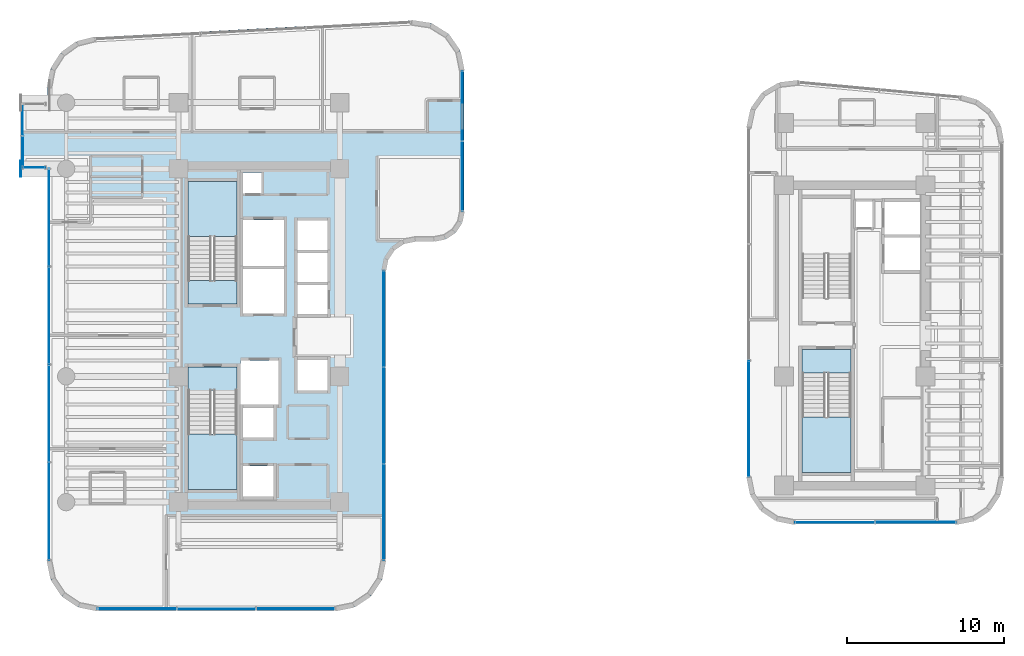
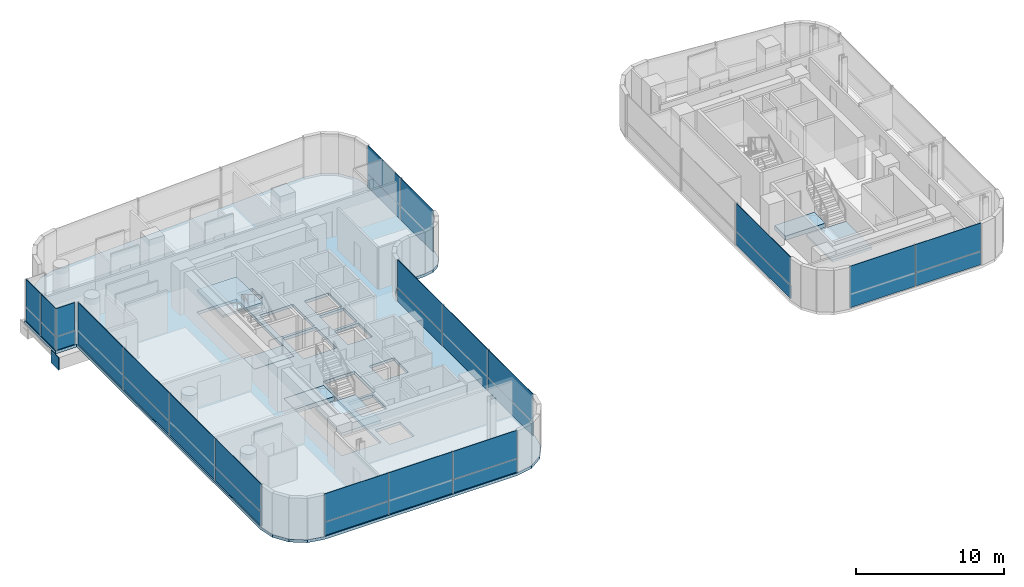
# One storey, part 23 of 33: 30 plates, 7 slabs, 11 elements without a shape of their own.
"""IFC4 building model written with IfcOpenShell, lengths in metres."""

from ifc_helpers import new_model, si_unit, direction, frame, origin, origin_2d, place, context, subcontext, project, spatial, polyline, rectangle, outline, extrude, source, transform, mapped, material, layer, layer_set, type_object, element, aggregate, save


model = new_model("IFC4")

# Units and contexts
model_context = context("Model", 3, precision=1e-05, world=origin(), true_north=direction((0.0, 1.0)))
body_context = subcontext(model_context, "Body", "Model", "MODEL_VIEW")
ifc_project = project(units=[si_unit("LENGTHUNIT", "METRE"), si_unit("AREAUNIT", "SQUARE_METRE"), si_unit("VOLUMEUNIT", "CUBIC_METRE"), si_unit("PLANEANGLEUNIT", "RADIAN"), si_unit("MASSUNIT", "GRAM", prefix="KILO")], contexts=[model_context])

# Site, building, storey
site_placement = place(None, origin())
site = spatial("IfcSite", under=ifc_project, at=site_placement, CompositionType="ELEMENT")
building_placement = place(site_placement, origin())
building = spatial("IfcBuilding", under=site, at=building_placement, Name="Valdorenza Pilgrim Sanctuary Tower", CompositionType="ELEMENT")
storey_placement = place(building_placement, frame((0.0, 0.0, 157.5)))
storey = spatial("IfcBuildingStorey", under=building, at=storey_placement, Name="L40", CompositionType="ELEMENT", Elevation=157.5)

# Slab
ifc_material_1 = material(Name="Concrete C40/50", Category="concrete")
ifc_layer_1 = layer(ifc_material_1, 0.239990234375, Name="Concrete C40/50")
ifc_layer_set_1 = layer_set([ifc_layer_1], Name="Concrete C40/50")
slab_type_1 = type_object("IfcSlabType", Name="SLAB-FLR-220", PredefinedType="FLOOR", material=ifc_layer_set_1)
slab_1_placement = place(storey_placement, frame((0.0, 0.0, -0.239990234375)))
element("IfcSlab", 1, at=slab_1_placement, inside=storey, type_object=slab_type_1, Name="L40 Structural Floor Slab 1", PredefinedType="FLOOR", context=body_context, shape_type="SweptSolid", body=[
    extrude(outline(polyline([(-30.772216796875, 16.9501953125), (-30.12158203125, 17.966796875), (-29.140625, 18.670166015625), (-27.96875, 18.960205078125), (-7.868896484375, 20.02197265625), (-6.593505859375, 19.8291015625), (-5.497802734375, 19.148193359375), (-4.760009765625, 18.090087890625), (-4.5, 16.826416015625), (-4.5, 7.89990234375), (-4.64453125, 7.1728515625), (-5.056396484375, 6.556396484375), (-5.6728515625, 6.14453125), (-6.39990234375, 6.0), (-7.60009765625, 6.0), (-8.3271484375, 5.85546875), (-8.943603515625, 5.443603515625), (-9.35546875, 4.8271484375), (-9.5, 4.10009765625), (-9.5, -14.300048828125), (-9.74365234375, -15.524658203125), (-10.437255859375, -16.562744140625), (-11.475341796875, -17.25634765625), (-12.699951171875, -17.5), (-27.800048828125, -17.5), (-29.024658203125, -17.25634765625), (-30.062744140625, -16.562744140625), (-30.75634765625, -15.524658203125), (-31.0, -14.300048828125), (-31.0, 10.60009765625), (-32.64990234375, 10.60009765625), (-32.64990234375, 14.800048828125), (-31.0, 14.800048828125), (-31.0, 15.7646484375), (-30.772216796875, 16.9501953125)]), holes=[polyline([(-16.60009765625, -10.25), (-16.60009765625, -8.300048828125), (-18.550048828125, -8.300048828125), (-18.550048828125, -10.25), (-16.60009765625, -10.25)]), polyline([(-22.050048828125, -9.800048828125), (-18.93994140625, -9.800048828125), (-18.93994140625, -3.485107421875), (-18.93994140625, -2.0), (-22.050048828125, -2.0), (-22.050048828125, -3.485107421875), (-22.050048828125, -9.800048828125)]), polyline([(-16.60009765625, -6.5), (-16.60009765625, -4.60009765625), (-18.550048828125, -4.60009765625), (-18.550048828125, -6.5), (-16.60009765625, -6.5)]), polyline([(-18.719970703125, -4.39990234375), (-16.300048828125, -4.39990234375), (-16.300048828125, -1.60009765625), (-18.719970703125, -1.60009765625), (-18.719970703125, -4.39990234375)]), polyline([(-13.179931640625, 1.35009765625), (-13.179931640625, 3.199951171875), (-15.10009765625, 3.199951171875), (-15.10009765625, 1.35009765625), (-13.179931640625, 1.35009765625)]), polyline([(-22.050048828125, 2.0), (-18.93994140625, 2.0), (-18.93994140625, 3.485107421875), (-18.93994140625, 9.800048828125), (-22.050048828125, 9.800048828125), (-22.050048828125, 3.485107421875), (-22.050048828125, 2.0)]), polyline([(-15.949951171875, 1.39990234375), (-15.949951171875, 4.22509765625), (-18.550048828125, 4.22509765625), (-18.550048828125, 1.39990234375), (-15.949951171875, 1.39990234375)]), polyline([(-18.550048828125, 4.425048828125), (-15.949951171875, 4.425048828125), (-15.949951171875, 7.35009765625), (-18.550048828125, 7.35009765625), (-18.550048828125, 4.425048828125)]), polyline([(-17.360107421875, 9.030029296875), (-17.360107421875, 10.35009765625), (-18.570068359375, 10.35009765625), (-18.570068359375, 9.030029296875), (-17.360107421875, 9.030029296875)]), polyline([(-13.179931640625, -3.5), (-13.179931640625, -1.550048828125), (-15.10009765625, -1.550048828125), (-15.10009765625, -3.5), (-13.179931640625, -3.5)]), polyline([(-13.179931640625, 3.39990234375), (-13.179931640625, 5.25), (-15.10009765625, 5.25), (-15.10009765625, 3.39990234375), (-13.179931640625, 3.39990234375)]), polyline([(-13.179931640625, 5.449951171875), (-13.179931640625, 7.300048828125), (-15.10009765625, 7.300048828125), (-15.10009765625, 5.449951171875), (-13.179931640625, 5.449951171875)])]), origin(), (0.0, 0.0, 1.0), 0.239990234375),
])

# Stair, slab
stair_type = type_object("IfcStairType", Name="STR-DOG-CORE", PredefinedType="HALF_TURN_STAIR", material=ifc_material_1)
stair_1_placement = place(storey_placement, origin())
stair_1 = element("IfcStair", 2, at=stair_1_placement, inside=storey, type_object=stair_type, Name="L40 ST-A1", PredefinedType="HALF_TURN_STAIR")
ifc_layer_2 = layer(ifc_material_1, 0.199951171875, Name="Concrete C40/50")
ifc_layer_set_2 = layer_set([ifc_layer_2], Name="Concrete C40/50")
slab_type_2 = type_object("IfcSlabType", Name="SLAB-STL-200", PredefinedType="LANDING", material=ifc_layer_set_2)
slab_2_placement = place(storey_placement, frame((0.0, 0.0, 1.64990234375)))
slab_2 = element("IfcSlab", 3, at=slab_2_placement, type_object=slab_type_2, Name="ST-A1 landing 1", PredefinedType="LANDING", context=body_context, shape_type="SweptSolid", body=[
    extrude(outline(polyline([(-18.93994140625, 6.280029296875), (-18.93994140625, 9.800048828125), (-22.050048828125, 9.800048828125), (-22.050048828125, 6.280029296875), (-18.93994140625, 6.280029296875)])), origin(), (0.0, 0.0, 1.0), 0.2001953125),
])
aggregate(stair_1, [slab_2])

stair_2_placement = place(storey_placement, origin())
stair_2 = element("IfcStair", 4, at=stair_2_placement, inside=storey, type_object=stair_type, Name="L40 ST-A2", PredefinedType="HALF_TURN_STAIR")
slab_3_placement = place(storey_placement, frame((0.0, 0.0, 1.64990234375)))
slab_3 = element("IfcSlab", 5, at=slab_3_placement, type_object=slab_type_2, Name="ST-A2 landing 1", PredefinedType="LANDING", context=body_context, shape_type="SweptSolid", body=[
    extrude(outline(polyline([(-22.050048828125, -6.280029296875), (-22.050048828125, -9.800048828125), (-18.93994140625, -9.800048828125), (-18.93994140625, -6.280029296875), (-22.050048828125, -6.280029296875)])), origin(), (0.0, 0.0, 1.0), 0.2001953125),
])
aggregate(stair_2, [slab_3])

stair_3_placement = place(storey_placement, origin())
stair_3 = element("IfcStair", 6, at=stair_3_placement, inside=storey, type_object=stair_type, Name="L40 ST-B2", PredefinedType="HALF_TURN_STAIR")
slab_4_placement = place(storey_placement, frame((0.0, 0.0, 1.64990234375)))
slab_4 = element("IfcSlab", 7, at=slab_4_placement, type_object=slab_type_2, Name="ST-B2 landing 1", PredefinedType="LANDING", context=body_context, shape_type="SweptSolid", body=[
    extrude(outline(polyline([(17.0, -5.179931640625), (17.0, -8.699951171875), (20.110107421875, -8.699951171875), (20.110107421875, -5.179931640625), (17.0, -5.179931640625)])), origin(), (0.0, 0.0, 1.0), 0.2001953125),
])
aggregate(stair_3, [slab_4])

# Slabs
ifc_material_2 = material(Name="Concrete C50/60", Category="concrete")
ifc_layer_3 = layer(ifc_material_2, 0.39990234375, Name="Concrete C50/60")
ifc_layer_set_3 = layer_set([ifc_layer_3], Name="Concrete C50/60")
slab_type_3 = type_object("IfcSlabType", Name="SLAB-TRF-400", PredefinedType="FLOOR", material=ifc_layer_set_3)
slab_5_placement = place(storey_placement, frame((0.0, 0.0, -0.360107421875)))
element("IfcSlab", 8, at=slab_5_placement, inside=storey, type_object=slab_type_3, Name="L40 ST-A1 Structural Stair Landing Bearing Slab", PredefinedType="FLOOR", context=body_context, shape_type="SweptSolid", body=[
    extrude(outline(polyline([(-22.050048828125, 2.0), (-18.93994140625, 2.0), (-18.93994140625, 3.485107421875), (-22.050048828125, 3.485107421875), (-22.050048828125, 2.0)])), origin(), (0.0, 0.0, 1.0), 0.360107421875),
])
slab_6_placement = place(storey_placement, frame((0.0, 0.0, -0.360107421875)))
element("IfcSlab", 9, at=slab_6_placement, inside=storey, type_object=slab_type_3, Name="L40 ST-A2 Structural Stair Landing Bearing Slab", PredefinedType="FLOOR", context=body_context, shape_type="SweptSolid", body=[
    extrude(outline(polyline([(-22.050048828125, -3.485107421875), (-18.93994140625, -3.485107421875), (-18.93994140625, -2.0), (-22.050048828125, -2.0), (-22.050048828125, -3.485107421875)])), origin(), (0.0, 0.0, 1.0), 0.360107421875),
])
slab_7_placement = place(storey_placement, frame((0.0, 0.0, -0.360107421875)))
element("IfcSlab", 10, at=slab_7_placement, inside=storey, type_object=slab_type_3, Name="L40 ST-B2 Structural Stair Landing Bearing Slab", PredefinedType="FLOOR", context=body_context, shape_type="SweptSolid", body=[
    extrude(outline(polyline([(17.0, -2.385009765625), (20.110107421875, -2.385009765625), (20.110107421875, -0.89990234375), (17.0, -0.89990234375), (17.0, -2.385009765625)])), origin(), (0.0, 0.0, 1.0), 0.360107421875),
])

# Plate
ifc_material_3 = material(Name="Steel ASTM A572 Grade 42", Category="steel")
ifc_layer_4 = layer(ifc_material_3, 0.06005859375, Name="Steel ASTM A572 Grade 42")
ifc_layer_set_4 = layer_set([ifc_layer_4], Name="Steel ASTM A572 Grade 42")
plate_type_1 = type_object("IfcPlateType", Name="PLT-CAP-60", PredefinedType="SHEET", material=ifc_layer_set_4)
shared_shape_1 = source(origin(), body_context, "Body", "SweptSolid", [
    extrude(rectangle(XDim=0.06005859375, YDim=1.0400390625, at=origin_2d()), origin(), (0.0, 0.0, 1.0), 1.0400390625),
])
plate_1_placement = place(storey_placement, frame((-32.679931640625, 10.60009765625, -1.260009765625), z_axis=(0.0, 0.0, 1.0), x_axis=(1.0, 0.0, 0.0)))
element("IfcPlate", 11, at=plate_1_placement, inside=storey, type_object=plate_type_1, Name="L40 BOX-WA-L40 Cantilever Tip End Cap S", PredefinedType="SHEET", context=body_context, shape_type="MappedRepresentation", body=[
    mapped(shared_shape_1, transform((0.0, 0.0, 0.0), x_axis=(1.0, 0.0, 0.0), y_axis=(0.0, 1.0, 0.0), z_axis=(0.0, 0.0, 1.0), scale=1.0)),
])

# Curtain wall, plates
ifc_material_4 = material(Name="Curtain-wall IGU glazing", Category="glass")
curtain_wall_type_1 = type_object("IfcCurtainWallType", Name="CW-SYS-02", PredefinedType="NOTDEFINED", material=ifc_material_4)
curtain_wall_1_placement = place(storey_placement, origin())
curtain_wall_1 = element("IfcCurtainWall", 12, at=curtain_wall_1_placement, inside=storey, type_object=curtain_wall_type_1, Name="L40 Curtain Wall CW-L40-BOX-WA-L40-S", PredefinedType="NOTDEFINED")
ifc_material_5 = material(Name="Honed travertine limestone", Category="masonry")
ifc_layer_5 = layer(ifc_material_5, 0.050048828125, Name="Honed travertine limestone")
ifc_layer_set_5 = layer_set([ifc_layer_5], Name="Honed travertine limestone")
plate_type_2 = type_object("IfcPlateType", Name="CW-SPN-TRV", PredefinedType="USERDEFINED", material=ifc_layer_set_5)
shared_shape_2 = source(origin(), body_context, "Body", "SweptSolid", [
    extrude(rectangle(XDim=1.43994140625, YDim=0.06005859375, at=origin_2d()), origin(), (0.0, 0.0, 1.0), 1.10009765625),
])
plate_2_placement = place(storey_placement, frame((-31.840087890625, 10.679931640625, 0.010009765625), z_axis=(0.0, 0.0, 1.0), x_axis=(-1.0, 0.0, 0.0)))
plate_2 = element("IfcPlate", 13, at=plate_2_placement, type_object=plate_type_2, Name="CW-L40-BOX-WA-L40-S Travertine Spandrel 1", ObjectType="SPANDREL", PredefinedType="USERDEFINED", context=body_context, shape_type="MappedRepresentation", body=[
    mapped(shared_shape_2, transform((0.0, 0.0, 0.0), x_axis=(1.0, 0.0, 0.0), y_axis=(0.0, 1.0, 0.0), z_axis=(0.0, 0.0, 1.0), scale=1.0)),
])
ifc_material_6 = material(Name="Ceramic-fritted low-E IGU glazing", Category="glass")
ifc_layer_6 = layer(ifc_material_6, 0.035888671875, Name="Ceramic-fritted low-E IGU glazing")
ifc_layer_set_6 = layer_set([ifc_layer_6], Name="Ceramic-fritted low-E IGU glazing")
plate_type_3 = type_object("IfcPlateType", Name="CW-GLZ-IGU", PredefinedType="USERDEFINED", material=ifc_layer_set_6)
shared_shape_3 = source(origin(), body_context, "Body", "SweptSolid", [
    extrude(rectangle(XDim=1.43994140625, YDim=0.050048828125, at=origin_2d()), origin(), (0.0, 0.0, 1.0), 2.320068359375),
])
plate_3_placement = place(storey_placement, frame((-31.840087890625, 10.679931640625, 1.1298828125), z_axis=(0.0, 0.0, 1.0), x_axis=(-1.0, 0.0, 0.0)))
plate_3 = element("IfcPlate", 14, at=plate_3_placement, type_object=plate_type_3, Name="CW-L40-BOX-WA-L40-S Facade Panel 1", ObjectType="GLAZING", PredefinedType="USERDEFINED", context=body_context, shape_type="MappedRepresentation", body=[
    mapped(shared_shape_3, transform((0.0, 0.0, 0.0), x_axis=(1.0, 0.0, 0.0), y_axis=(0.0, 1.0, 0.0), z_axis=(0.0, 0.0, 1.0), scale=1.0)),
])
aggregate(curtain_wall_1, [plate_2, plate_3])

curtain_wall_2_placement = place(storey_placement, origin())
curtain_wall_2 = element("IfcCurtainWall", 15, at=curtain_wall_2_placement, inside=storey, type_object=curtain_wall_type_1, Name="L40 Curtain Wall CW-L40-BOX-WA-L40-F", PredefinedType="NOTDEFINED")
shared_shape_4 = source(origin(), body_context, "Body", "SweptSolid", [
    extrude(rectangle(XDim=2.0, YDim=0.06005859375, at=origin_2d()), origin(), (0.0, 0.0, 1.0), 1.10009765625),
])
plate_4_placement = place(storey_placement, frame((-32.570068359375, 11.68994140625, 0.010009765625), z_axis=(0.0, 0.0, 1.0), x_axis=(0.0, 1.0, 0.0)))
plate_4 = element("IfcPlate", 16, at=plate_4_placement, type_object=plate_type_2, Name="CW-L40-BOX-WA-L40-F Travertine Spandrel 1", ObjectType="SPANDREL", PredefinedType="USERDEFINED", context=body_context, shape_type="MappedRepresentation", body=[
    mapped(shared_shape_4, transform((0.0, 0.0, 0.0), x_axis=(1.0, 0.0, 0.0), y_axis=(0.0, 1.0, 0.0), z_axis=(0.0, 0.0, 1.0), scale=1.0)),
])
shared_shape_5 = source(origin(), body_context, "Body", "SweptSolid", [
    extrude(rectangle(XDim=2.0, YDim=0.050048828125, at=origin_2d()), origin(), (0.0, 0.0, 1.0), 2.320068359375),
])
plate_5_placement = place(storey_placement, frame((-32.570068359375, 11.68994140625, 1.1298828125), z_axis=(0.0, 0.0, 1.0), x_axis=(0.0, 1.0, 0.0)))
plate_5 = element("IfcPlate", 17, at=plate_5_placement, type_object=plate_type_3, Name="CW-L40-BOX-WA-L40-F Facade Panel 1", ObjectType="GLAZING", PredefinedType="USERDEFINED", context=body_context, shape_type="MappedRepresentation", body=[
    mapped(shared_shape_5, transform((0.0, 0.0, 0.0), x_axis=(1.0, 0.0, 0.0), y_axis=(0.0, 1.0, 0.0), z_axis=(0.0, 0.0, 1.0), scale=1.0)),
])
shared_shape_6 = source(origin(), body_context, "Body", "SweptSolid", [
    extrude(rectangle(XDim=2.0, YDim=0.050048828125, at=origin_2d()), origin(), (0.0, 0.0, 1.0), 3.43994140625),
])
plate_6_placement = place(storey_placement, frame((-32.570068359375, 13.7099609375, 0.010009765625), z_axis=(0.0, 0.0, 1.0), x_axis=(0.0, 1.0, 0.0)))
plate_6 = element("IfcPlate", 18, at=plate_6_placement, type_object=plate_type_3, Name="CW-L40-BOX-WA-L40-F Full-Height Facade Panel 2", ObjectType="GLAZING", PredefinedType="USERDEFINED", context=body_context, shape_type="MappedRepresentation", body=[
    mapped(shared_shape_6, transform((0.0, 0.0, 0.0), x_axis=(1.0, 0.0, 0.0), y_axis=(0.0, 1.0, 0.0), z_axis=(0.0, 0.0, 1.0), scale=1.0)),
])
aggregate(curtain_wall_2, [plate_4, plate_5, plate_6])

curtain_wall_3_placement = place(storey_placement, origin())
curtain_wall_3 = element("IfcCurtainWall", 19, at=curtain_wall_3_placement, inside=storey, type_object=curtain_wall_type_1, Name="L40 Curtain Wall CW-L40-1-26", PredefinedType="NOTDEFINED")
shared_shape_7 = source(origin(), body_context, "Body", "SweptSolid", [
    extrude(rectangle(XDim=5.006103515625, YDim=0.06005859375, at=origin_2d()), origin(), (0.0, 0.0, 1.0), 1.10009765625),
])
plate_7_placement = place(storey_placement, frame((-15.223876953125, -17.389892578125, 0.010009765625), z_axis=(0.0, 0.0, 1.0), x_axis=(-1.0, 0.0, 0.0)))
plate_7 = element("IfcPlate", 20, at=plate_7_placement, type_object=plate_type_2, Name="CW-L40-1-26 Travertine Spandrel 1", ObjectType="SPANDREL", PredefinedType="USERDEFINED", context=body_context, shape_type="MappedRepresentation", body=[
    mapped(shared_shape_7, transform((0.0, 0.0, 0.0), x_axis=(1.0, 0.0, 0.0), y_axis=(0.0, 1.0, 0.0), z_axis=(0.0, 0.0, 1.0), scale=1.0)),
])
plate_8_placement = place(storey_placement, frame((-25.276123046875, -17.389892578125, 0.010009765625), z_axis=(0.0, 0.0, 1.0), x_axis=(-1.0, 0.0, 0.0)))
plate_8 = element("IfcPlate", 21, at=plate_8_placement, type_object=plate_type_2, Name="CW-L40-1-26 Travertine Spandrel 3", ObjectType="SPANDREL", PredefinedType="USERDEFINED", context=body_context, shape_type="MappedRepresentation", body=[
    mapped(shared_shape_7, transform((0.0, 0.0, 0.0), x_axis=(1.0, 0.0, 0.0), y_axis=(0.0, 1.0, 0.0), z_axis=(0.0, 0.0, 1.0), scale=1.0)),
])
shared_shape_8 = source(origin(), body_context, "Body", "SweptSolid", [
    extrude(rectangle(XDim=5.006103515625, YDim=0.050048828125, at=origin_2d()), origin(), (0.0, 0.0, 1.0), 2.320068359375),
])
plate_9_placement = place(storey_placement, frame((-15.223876953125, -17.389892578125, 1.1298828125), z_axis=(0.0, 0.0, 1.0), x_axis=(-1.0, 0.0, 0.0)))
plate_9 = element("IfcPlate", 22, at=plate_9_placement, type_object=plate_type_3, Name="CW-L40-1-26 Facade Panel 1", ObjectType="GLAZING", PredefinedType="USERDEFINED", context=body_context, shape_type="MappedRepresentation", body=[
    mapped(shared_shape_8, transform((0.0, 0.0, 0.0), x_axis=(1.0, 0.0, 0.0), y_axis=(0.0, 1.0, 0.0), z_axis=(0.0, 0.0, 1.0), scale=1.0)),
])
plate_10_placement = place(storey_placement, frame((-25.276123046875, -17.389892578125, 1.1298828125), z_axis=(0.0, 0.0, 1.0), x_axis=(-1.0, 0.0, 0.0)))
plate_10 = element("IfcPlate", 23, at=plate_10_placement, type_object=plate_type_3, Name="CW-L40-1-26 Facade Panel 3", ObjectType="GLAZING", PredefinedType="USERDEFINED", context=body_context, shape_type="MappedRepresentation", body=[
    mapped(shared_shape_8, transform((0.0, 0.0, 0.0), x_axis=(1.0, 0.0, 0.0), y_axis=(0.0, 1.0, 0.0), z_axis=(0.0, 0.0, 1.0), scale=1.0)),
])
shared_shape_9 = source(origin(), body_context, "Body", "SweptSolid", [
    extrude(rectangle(XDim=5.006103515625, YDim=0.050048828125, at=origin_2d()), origin(), (0.0, 0.0, 1.0), 3.43994140625),
])
plate_11_placement = place(storey_placement, frame((-20.25, -17.389892578125, 0.010009765625), z_axis=(0.0, 0.0, 1.0), x_axis=(-1.0, 0.0, 0.0)))
plate_11 = element("IfcPlate", 24, at=plate_11_placement, type_object=plate_type_3, Name="CW-L40-1-26 Full-Height Facade Panel 2", ObjectType="GLAZING", PredefinedType="USERDEFINED", context=body_context, shape_type="MappedRepresentation", body=[
    mapped(shared_shape_9, transform((0.0, 0.0, 0.0), x_axis=(1.0, 0.0, 0.0), y_axis=(0.0, 1.0, 0.0), z_axis=(0.0, 0.0, 1.0), scale=1.0)),
])
aggregate(curtain_wall_3, [plate_7, plate_9, plate_11, plate_8, plate_10])

curtain_wall_4_placement = place(storey_placement, origin())
curtain_wall_4 = element("IfcCurtainWall", 25, at=curtain_wall_4_placement, inside=storey, type_object=curtain_wall_type_1, Name="L40 Curtain Wall CW-L40-1-1S1", PredefinedType="NOTDEFINED")
shared_shape_10 = source(origin(), body_context, "Body", "SweptSolid", [
    extrude(rectangle(XDim=6.202392578125, YDim=0.06005859375, at=origin_2d()), origin(), (0.0, 0.0, 1.0), 1.10009765625),
])
plate_12_placement = place(storey_placement, frame((-30.889892578125, -11.177978515625, 0.010009765625), z_axis=(0.0, 0.0, 1.0), x_axis=(0.0, 1.0, 0.0)))
plate_12 = element("IfcPlate", 26, at=plate_12_placement, type_object=plate_type_2, Name="CW-L40-1-1S1 Travertine Spandrel 1", ObjectType="SPANDREL", PredefinedType="USERDEFINED", context=body_context, shape_type="MappedRepresentation", body=[
    mapped(shared_shape_10, transform((0.0, 0.0, 0.0), x_axis=(1.0, 0.0, 0.0), y_axis=(0.0, 1.0, 0.0), z_axis=(0.0, 0.0, 1.0), scale=1.0)),
])
plate_13_placement = place(storey_placement, frame((-30.889892578125, 1.2666015625, 0.010009765625), z_axis=(0.0, 0.0, 1.0), x_axis=(0.0, 1.0, 0.0)))
plate_13 = element("IfcPlate", 27, at=plate_13_placement, type_object=plate_type_2, Name="CW-L40-1-1S1 Travertine Spandrel 3", ObjectType="SPANDREL", PredefinedType="USERDEFINED", context=body_context, shape_type="MappedRepresentation", body=[
    mapped(shared_shape_10, transform((0.0, 0.0, 0.0), x_axis=(1.0, 0.0, 0.0), y_axis=(0.0, 1.0, 0.0), z_axis=(0.0, 0.0, 1.0), scale=1.0)),
])
shared_shape_11 = source(origin(), body_context, "Body", "SweptSolid", [
    extrude(rectangle(XDim=6.202392578125, YDim=0.050048828125, at=origin_2d()), origin(), (0.0, 0.0, 1.0), 2.320068359375),
])
plate_14_placement = place(storey_placement, frame((-30.889892578125, -11.177978515625, 1.1298828125), z_axis=(0.0, 0.0, 1.0), x_axis=(0.0, 1.0, 0.0)))
plate_14 = element("IfcPlate", 28, at=plate_14_placement, type_object=plate_type_3, Name="CW-L40-1-1S1 Facade Panel 1", ObjectType="GLAZING", PredefinedType="USERDEFINED", context=body_context, shape_type="MappedRepresentation", body=[
    mapped(shared_shape_11, transform((0.0, 0.0, 0.0), x_axis=(1.0, 0.0, 0.0), y_axis=(0.0, 1.0, 0.0), z_axis=(0.0, 0.0, 1.0), scale=1.0)),
])
plate_15_placement = place(storey_placement, frame((-30.889892578125, 1.2666015625, 1.1298828125), z_axis=(0.0, 0.0, 1.0), x_axis=(0.0, 1.0, 0.0)))
plate_15 = element("IfcPlate", 29, at=plate_15_placement, type_object=plate_type_3, Name="CW-L40-1-1S1 Facade Panel 3", ObjectType="GLAZING", PredefinedType="USERDEFINED", context=body_context, shape_type="MappedRepresentation", body=[
    mapped(shared_shape_11, transform((0.0, 0.0, 0.0), x_axis=(1.0, 0.0, 0.0), y_axis=(0.0, 1.0, 0.0), z_axis=(0.0, 0.0, 1.0), scale=1.0)),
])
shared_shape_12 = source(origin(), body_context, "Body", "SweptSolid", [
    extrude(rectangle(XDim=6.202392578125, YDim=0.050048828125, at=origin_2d()), origin(), (0.0, 0.0, 1.0), 3.43994140625),
])
plate_16_placement = place(storey_placement, frame((-30.889892578125, -4.955810546875, 0.010009765625), z_axis=(0.0, 0.0, 1.0), x_axis=(0.0, 1.0, 0.0)))
plate_16 = element("IfcPlate", 30, at=plate_16_placement, type_object=plate_type_3, Name="CW-L40-1-1S1 Full-Height Facade Panel 2", ObjectType="GLAZING", PredefinedType="USERDEFINED", context=body_context, shape_type="MappedRepresentation", body=[
    mapped(shared_shape_12, transform((0.0, 0.0, 0.0), x_axis=(1.0, 0.0, 0.0), y_axis=(0.0, 1.0, 0.0), z_axis=(0.0, 0.0, 1.0), scale=1.0)),
])
plate_17_placement = place(storey_placement, frame((-30.889892578125, 7.489013671875, 0.010009765625), z_axis=(0.0, 0.0, 1.0), x_axis=(0.0, 1.0, 0.0)))
plate_17 = element("IfcPlate", 31, at=plate_17_placement, type_object=plate_type_3, Name="CW-L40-1-1S1 Full-Height Facade Panel 4", ObjectType="GLAZING", PredefinedType="USERDEFINED", context=body_context, shape_type="MappedRepresentation", body=[
    mapped(shared_shape_12, transform((0.0, 0.0, 0.0), x_axis=(1.0, 0.0, 0.0), y_axis=(0.0, 1.0, 0.0), z_axis=(0.0, 0.0, 1.0), scale=1.0)),
])
aggregate(curtain_wall_4, [plate_12, plate_14, plate_16, plate_13, plate_15, plate_17])

curtain_wall_5_placement = place(storey_placement, origin())
curtain_wall_5 = element("IfcCurtainWall", 32, at=curtain_wall_5_placement, inside=storey, type_object=curtain_wall_type_1, Name="L40 Curtain Wall CW-L40-1-11", PredefinedType="NOTDEFINED")
shared_shape_13 = source(origin(), body_context, "Body", "SweptSolid", [
    extrude(rectangle(XDim=4.432373046875, YDim=0.06005859375, at=origin_2d()), origin(), (0.0, 0.0, 1.0), 1.10009765625),
])
plate_18_placement = place(storey_placement, frame((-4.610107421875, 14.589111328125, 0.010009765625), z_axis=(0.0, 0.0, 1.0), x_axis=(0.0, -1.0, 0.0)))
plate_18 = element("IfcPlate", 33, at=plate_18_placement, type_object=plate_type_2, Name="CW-L40-1-11 Travertine Spandrel 1", ObjectType="SPANDREL", PredefinedType="USERDEFINED", context=body_context, shape_type="MappedRepresentation", body=[
    mapped(shared_shape_13, transform((0.0, 0.0, 0.0), x_axis=(1.0, 0.0, 0.0), y_axis=(0.0, 1.0, 0.0), z_axis=(0.0, 0.0, 1.0), scale=1.0)),
])
shared_shape_14 = source(origin(), body_context, "Body", "SweptSolid", [
    extrude(rectangle(XDim=4.432373046875, YDim=0.050048828125, at=origin_2d()), origin(), (0.0, 0.0, 1.0), 2.320068359375),
])
plate_19_placement = place(storey_placement, frame((-4.610107421875, 14.589111328125, 1.1298828125), z_axis=(0.0, 0.0, 1.0), x_axis=(0.0, -1.0, 0.0)))
plate_19 = element("IfcPlate", 34, at=plate_19_placement, type_object=plate_type_3, Name="CW-L40-1-11 Facade Panel 1", ObjectType="GLAZING", PredefinedType="USERDEFINED", context=body_context, shape_type="MappedRepresentation", body=[
    mapped(shared_shape_14, transform((0.0, 0.0, 0.0), x_axis=(1.0, 0.0, 0.0), y_axis=(0.0, 1.0, 0.0), z_axis=(0.0, 0.0, 1.0), scale=1.0)),
])
shared_shape_15 = source(origin(), body_context, "Body", "SweptSolid", [
    extrude(rectangle(XDim=4.432373046875, YDim=0.050048828125, at=origin_2d()), origin(), (0.0, 0.0, 1.0), 3.43994140625),
])
plate_20_placement = place(storey_placement, frame((-4.610107421875, 10.136962890625, 0.010009765625), z_axis=(0.0, 0.0, 1.0), x_axis=(0.0, -1.0, 0.0)))
plate_20 = element("IfcPlate", 35, at=plate_20_placement, type_object=plate_type_3, Name="CW-L40-1-11 Full-Height Facade Panel 2", ObjectType="GLAZING", PredefinedType="USERDEFINED", context=body_context, shape_type="MappedRepresentation", body=[
    mapped(shared_shape_15, transform((0.0, 0.0, 0.0), x_axis=(1.0, 0.0, 0.0), y_axis=(0.0, 1.0, 0.0), z_axis=(0.0, 0.0, 1.0), scale=1.0)),
])
aggregate(curtain_wall_5, [plate_18, plate_19, plate_20])

curtain_wall_6_placement = place(storey_placement, origin())
curtain_wall_6 = element("IfcCurtainWall", 36, at=curtain_wall_6_placement, inside=storey, type_object=curtain_wall_type_1, Name="L40 Curtain Wall CW-L40-1-21", PredefinedType="NOTDEFINED")
shared_shape_16 = source(origin(), body_context, "Body", "SweptSolid", [
    extrude(rectangle(XDim=6.11328125, YDim=0.06005859375, at=origin_2d()), origin(), (0.0, 0.0, 1.0), 1.10009765625),
])
plate_21_placement = place(storey_placement, frame((-9.610107421875, 1.044189453125, 0.010009765625), z_axis=(0.0, 0.0, 1.0), x_axis=(0.0, -1.0, 0.0)))
plate_21 = element("IfcPlate", 37, at=plate_21_placement, type_object=plate_type_2, Name="CW-L40-1-21 Travertine Spandrel 1", ObjectType="SPANDREL", PredefinedType="USERDEFINED", context=body_context, shape_type="MappedRepresentation", body=[
    mapped(shared_shape_16, transform((0.0, 0.0, 0.0), x_axis=(1.0, 0.0, 0.0), y_axis=(0.0, 1.0, 0.0), z_axis=(0.0, 0.0, 1.0), scale=1.0)),
])
plate_22_placement = place(storey_placement, frame((-9.610107421875, -11.222412109375, 0.010009765625), z_axis=(0.0, 0.0, 1.0), x_axis=(0.0, -1.0, 0.0)))
plate_22 = element("IfcPlate", 38, at=plate_22_placement, type_object=plate_type_2, Name="CW-L40-1-21 Travertine Spandrel 3", ObjectType="SPANDREL", PredefinedType="USERDEFINED", context=body_context, shape_type="MappedRepresentation", body=[
    mapped(shared_shape_16, transform((0.0, 0.0, 0.0), x_axis=(1.0, 0.0, 0.0), y_axis=(0.0, 1.0, 0.0), z_axis=(0.0, 0.0, 1.0), scale=1.0)),
])
shared_shape_17 = source(origin(), body_context, "Body", "SweptSolid", [
    extrude(rectangle(XDim=6.11328125, YDim=0.050048828125, at=origin_2d()), origin(), (0.0, 0.0, 1.0), 2.320068359375),
])
plate_23_placement = place(storey_placement, frame((-9.610107421875, 1.044189453125, 1.1298828125), z_axis=(0.0, 0.0, 1.0), x_axis=(0.0, -1.0, 0.0)))
plate_23 = element("IfcPlate", 39, at=plate_23_placement, type_object=plate_type_3, Name="CW-L40-1-21 Facade Panel 1", ObjectType="GLAZING", PredefinedType="USERDEFINED", context=body_context, shape_type="MappedRepresentation", body=[
    mapped(shared_shape_17, transform((0.0, 0.0, 0.0), x_axis=(1.0, 0.0, 0.0), y_axis=(0.0, 1.0, 0.0), z_axis=(0.0, 0.0, 1.0), scale=1.0)),
])
plate_24_placement = place(storey_placement, frame((-9.610107421875, -11.222412109375, 1.1298828125), z_axis=(0.0, 0.0, 1.0), x_axis=(0.0, -1.0, 0.0)))
plate_24 = element("IfcPlate", 40, at=plate_24_placement, type_object=plate_type_3, Name="CW-L40-1-21 Facade Panel 3", ObjectType="GLAZING", PredefinedType="USERDEFINED", context=body_context, shape_type="MappedRepresentation", body=[
    mapped(shared_shape_17, transform((0.0, 0.0, 0.0), x_axis=(1.0, 0.0, 0.0), y_axis=(0.0, 1.0, 0.0), z_axis=(0.0, 0.0, 1.0), scale=1.0)),
])
shared_shape_18 = source(origin(), body_context, "Body", "SweptSolid", [
    extrude(rectangle(XDim=6.11328125, YDim=0.050048828125, at=origin_2d()), origin(), (0.0, 0.0, 1.0), 3.43994140625),
])
plate_25_placement = place(storey_placement, frame((-9.610107421875, -5.089111328125, 0.010009765625), z_axis=(0.0, 0.0, 1.0), x_axis=(0.0, -1.0, 0.0)))
plate_25 = element("IfcPlate", 41, at=plate_25_placement, type_object=plate_type_3, Name="CW-L40-1-21 Full-Height Facade Panel 2", ObjectType="GLAZING", PredefinedType="USERDEFINED", context=body_context, shape_type="MappedRepresentation", body=[
    mapped(shared_shape_18, transform((0.0, 0.0, 0.0), x_axis=(1.0, 0.0, 0.0), y_axis=(0.0, 1.0, 0.0), z_axis=(0.0, 0.0, 1.0), scale=1.0)),
])
aggregate(curtain_wall_6, [plate_21, plate_23, plate_25, plate_22, plate_24])

curtain_wall_type_2 = type_object("IfcCurtainWallType", Name="CW-SYS-03", PredefinedType="NOTDEFINED", material=ifc_material_4)
curtain_wall_7_placement = place(storey_placement, origin())
curtain_wall_7 = element("IfcCurtainWall", 42, at=curtain_wall_7_placement, inside=storey, type_object=curtain_wall_type_2, Name="L40 Curtain Wall CW-L40-2-1", PredefinedType="NOTDEFINED")
shared_shape_19 = source(origin(), body_context, "Body", "SweptSolid", [
    extrude(rectangle(XDim=7.376220703125, YDim=0.06005859375, at=origin_2d()), origin(), (0.0, 0.0, 1.0), 1.10009765625),
])
plate_26_placement = place(storey_placement, frame((13.610107421875, -5.291015625, 0.010009765625), z_axis=(0.0, 0.0, 1.0), x_axis=(0.0, 1.0, 0.0)))
plate_26 = element("IfcPlate", 43, at=plate_26_placement, type_object=plate_type_2, Name="CW-L40-2-1 Travertine Spandrel 1", ObjectType="SPANDREL", PredefinedType="USERDEFINED", context=body_context, shape_type="MappedRepresentation", body=[
    mapped(shared_shape_19, transform((0.0, 0.0, 0.0), x_axis=(1.0, 0.0, 0.0), y_axis=(0.0, 1.0, 0.0), z_axis=(0.0, 0.0, 1.0), scale=1.0)),
])
shared_shape_20 = source(origin(), body_context, "Body", "SweptSolid", [
    extrude(rectangle(XDim=7.376220703125, YDim=0.050048828125, at=origin_2d()), origin(), (0.0, 0.0, 1.0), 2.320068359375),
])
plate_27_placement = place(storey_placement, frame((13.610107421875, -5.291015625, 1.1298828125), z_axis=(0.0, 0.0, 1.0), x_axis=(0.0, 1.0, 0.0)))
plate_27 = element("IfcPlate", 44, at=plate_27_placement, type_object=plate_type_3, Name="CW-L40-2-1 Facade Panel 1", ObjectType="GLAZING", PredefinedType="USERDEFINED", context=body_context, shape_type="MappedRepresentation", body=[
    mapped(shared_shape_20, transform((0.0, 0.0, 0.0), x_axis=(1.0, 0.0, 0.0), y_axis=(0.0, 1.0, 0.0), z_axis=(0.0, 0.0, 1.0), scale=1.0)),
])
aggregate(curtain_wall_7, [plate_26, plate_27])

curtain_wall_8_placement = place(storey_placement, origin())
curtain_wall_8 = element("IfcCurtainWall", 45, at=curtain_wall_8_placement, inside=storey, type_object=curtain_wall_type_2, Name="L40 Curtain Wall CW-L40-2-16", PredefinedType="NOTDEFINED")
shared_shape_21 = source(origin(), body_context, "Body", "SweptSolid", [
    extrude(rectangle(XDim=5.119140625, YDim=0.06005859375, at=origin_2d()), origin(), (0.0, 0.0, 1.0), 1.10009765625),
])
plate_28_placement = place(storey_placement, frame((24.219482421875, -11.889892578125, 0.010009765625), z_axis=(0.0, 0.0, 1.0), x_axis=(-1.0, 0.0, 0.0)))
plate_28 = element("IfcPlate", 46, at=plate_28_placement, type_object=plate_type_2, Name="CW-L40-2-16 Travertine Spandrel 1", ObjectType="SPANDREL", PredefinedType="USERDEFINED", context=body_context, shape_type="MappedRepresentation", body=[
    mapped(shared_shape_21, transform((0.0, 0.0, 0.0), x_axis=(1.0, 0.0, 0.0), y_axis=(0.0, 1.0, 0.0), z_axis=(0.0, 0.0, 1.0), scale=1.0)),
])
shared_shape_22 = source(origin(), body_context, "Body", "SweptSolid", [
    extrude(rectangle(XDim=5.119140625, YDim=0.050048828125, at=origin_2d()), origin(), (0.0, 0.0, 1.0), 2.320068359375),
])
plate_29_placement = place(storey_placement, frame((24.219482421875, -11.889892578125, 1.1298828125), z_axis=(0.0, 0.0, 1.0), x_axis=(-1.0, 0.0, 0.0)))
plate_29 = element("IfcPlate", 47, at=plate_29_placement, type_object=plate_type_3, Name="CW-L40-2-16 Facade Panel 1", ObjectType="GLAZING", PredefinedType="USERDEFINED", context=body_context, shape_type="MappedRepresentation", body=[
    mapped(shared_shape_22, transform((0.0, 0.0, 0.0), x_axis=(1.0, 0.0, 0.0), y_axis=(0.0, 1.0, 0.0), z_axis=(0.0, 0.0, 1.0), scale=1.0)),
])
shared_shape_23 = source(origin(), body_context, "Body", "SweptSolid", [
    extrude(rectangle(XDim=5.119140625, YDim=0.050048828125, at=origin_2d()), origin(), (0.0, 0.0, 1.0), 3.43994140625),
])
plate_30_placement = place(storey_placement, frame((19.080322265625, -11.889892578125, 0.010009765625), z_axis=(0.0, 0.0, 1.0), x_axis=(-1.0, 0.0, 0.0)))
plate_30 = element("IfcPlate", 48, at=plate_30_placement, type_object=plate_type_3, Name="CW-L40-2-16 Full-Height Facade Panel 2", ObjectType="GLAZING", PredefinedType="USERDEFINED", context=body_context, shape_type="MappedRepresentation", body=[
    mapped(shared_shape_23, transform((0.0, 0.0, 0.0), x_axis=(1.0, 0.0, 0.0), y_axis=(0.0, 1.0, 0.0), z_axis=(0.0, 0.0, 1.0), scale=1.0)),
])
aggregate(curtain_wall_8, [plate_28, plate_29, plate_30])

save(model, "model.ifc")
